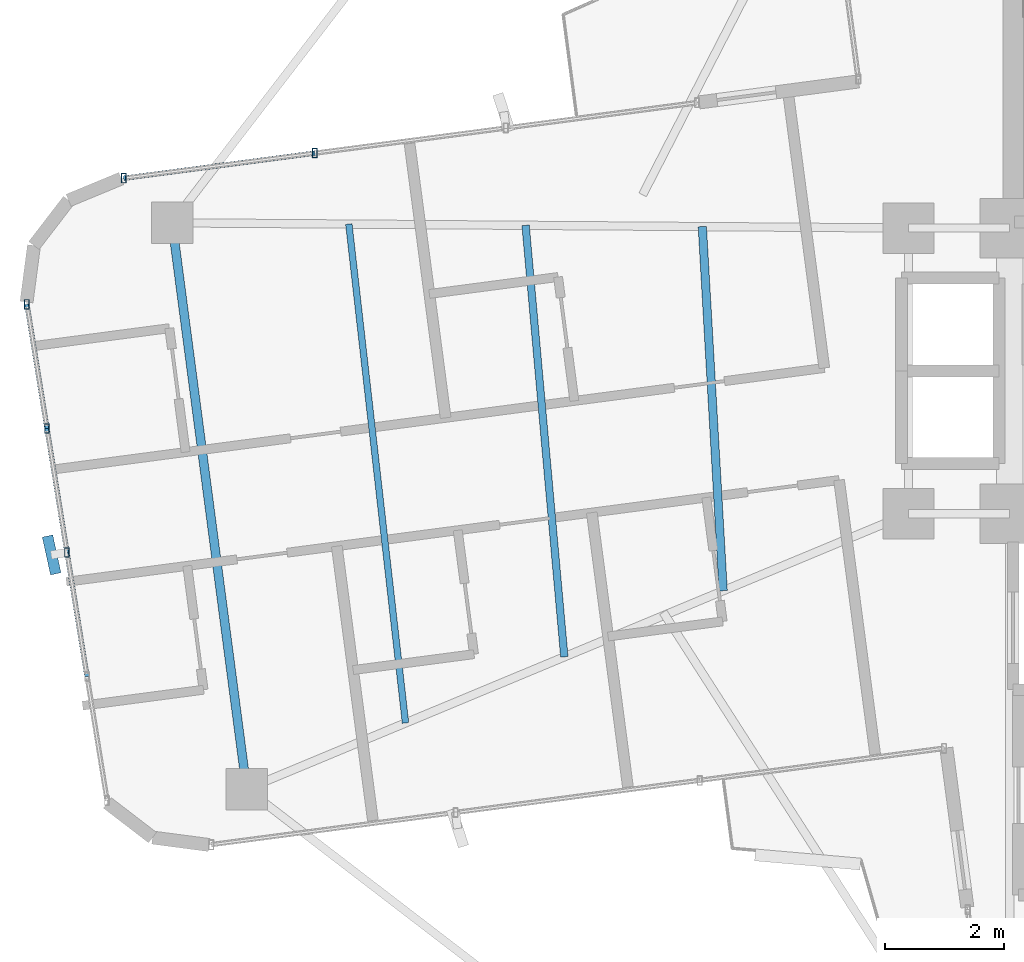
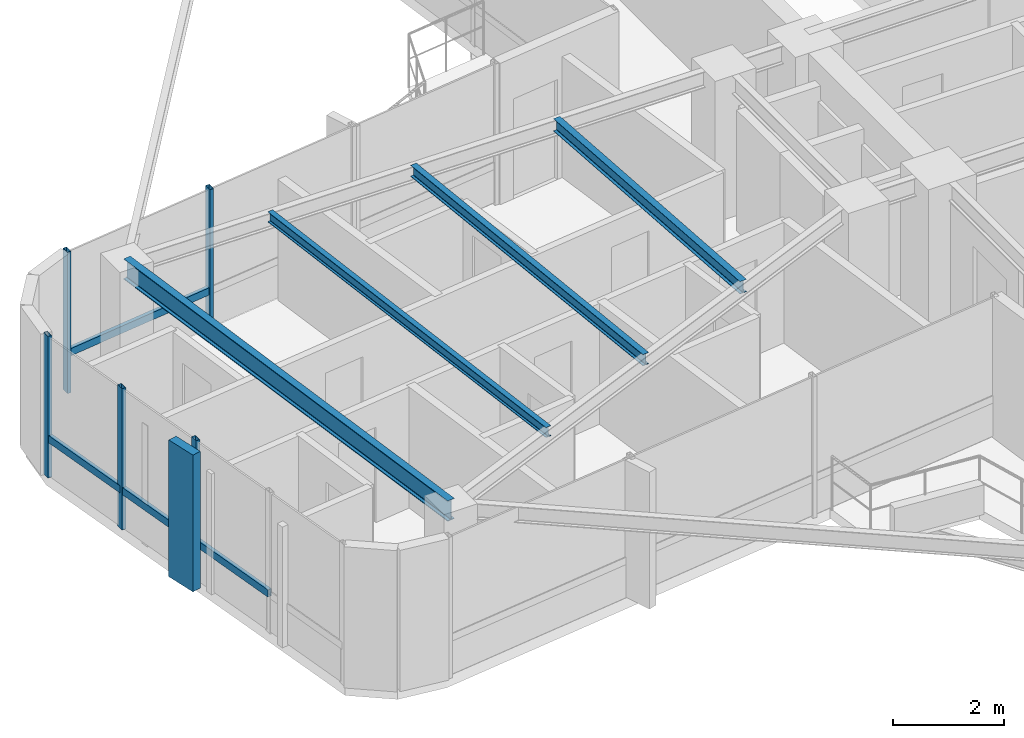
# One storey, part 6 of 22: 10 members, 4 beams, 2 elements without a shape of their own.
"""IFC4 building model written with IfcOpenShell, lengths in metres."""

from ifc_helpers import new_model, si_unit, direction, frame, origin, origin_2d, place, context, subcontext, project, spatial, rectangle, hollow_rectangle, i_section, extrude, source, transform, mapped, material, material_profile, profile_set, type_object, element, aggregate, save


model = new_model("IFC4")

# Units and contexts
model_context = context("Model", 3, precision=1e-05, world=origin(), true_north=direction((0.0, 1.0)))
body_context = subcontext(model_context, "Body", "Model", "MODEL_VIEW")
ifc_project = project(units=[si_unit("LENGTHUNIT", "METRE"), si_unit("AREAUNIT", "SQUARE_METRE"), si_unit("VOLUMEUNIT", "CUBIC_METRE"), si_unit("PLANEANGLEUNIT", "RADIAN"), si_unit("MASSUNIT", "GRAM", prefix="KILO")], contexts=[model_context])

# Site, building, storey
site_placement = place(None, origin())
site = spatial("IfcSite", under=ifc_project, at=site_placement, CompositionType="ELEMENT")
building_placement = place(site_placement, origin())
building = spatial("IfcBuilding", under=site, at=building_placement, Name="Sahyath Konkavel Grand Hotel", CompositionType="ELEMENT")
storey_placement = place(building_placement, frame((0.0, 0.0, 206.5)))
storey = spatial("IfcBuildingStorey", under=building, at=storey_placement, Name="L57", CompositionType="ELEMENT", Elevation=206.5)

# Beams
ifc_material_1 = material(Name="Steel E350", Category="steel")
ifc_material_profile_1 = material_profile(ifc_material_1, i_section(OverallWidth=0.14990234375, OverallDepth=0.449951171875, WebThickness=0.009521484375, FlangeThickness=0.017333984375, FilletRadius=0.014892578125, at=origin_2d()), Name="ISMB 450")
ifc_profile_set_1 = profile_set([ifc_material_profile_1], Name="Steel E350")
beam_type_1 = type_object("IfcBeamType", Name="BM-ISMB450", PredefinedType="BEAM", material=ifc_profile_set_1)
shared_shape_1 = source(origin(), body_context, "Body", "SweptSolid", [
    extrude(i_section(OverallWidth=0.14990234375, OverallDepth=0.449951171875, WebThickness=0.009521484375, FlangeThickness=0.017333984375, FilletRadius=0.014892578125, at=origin_2d()), origin(), (0.0, 0.0, 1.0), 9.599853515625),
])
beam_1_placement = place(storey_placement, frame((-17.877685546875, 2.48779296875, 2.885009765625), z_axis=(0.130539375757, -0.991443125639, 0.0), x_axis=(0.991443125639, 0.130539375757, 0.0)))
element("IfcBeam", 1, at=beam_1_placement, inside=storey, type_object=beam_type_1, Name="L57 Wing Tip Edge Beam W", PredefinedType="BEAM", context=body_context, shape_type="MappedRepresentation", body=[
    mapped(shared_shape_1, transform((0.0, 0.0, 0.0), scale=1.0)),
])
ifc_material_profile_2 = material_profile(ifc_material_1, i_section(OverallWidth=0.139892578125, OverallDepth=0.27490234375, WebThickness=0.00634765625, FlangeThickness=0.0087890625, FilletRadius=0.012939453125, at=origin_2d()), Name="ISLB 275")
ifc_profile_set_2 = profile_set([ifc_material_profile_2], Name="Steel E350")
beam_type_2 = type_object("IfcBeamType", Name="BM-ISLB275", PredefinedType="BEAM", material=ifc_profile_set_2)
shared_shape_2 = source(origin(), body_context, "Body", "SweptSolid", [
    extrude(i_section(OverallWidth=0.139892578125, OverallDepth=0.27490234375, WebThickness=0.00634765625, FlangeThickness=0.0087890625, FilletRadius=0.012939453125, at=origin_2d()), origin(), (0.0, 0.0, 1.0), 6.130859375),
])
beam_2_placement = place(storey_placement, frame((-8.9658203125, 2.424560546875, 2.972412109375), z_axis=(0.057223299361, -0.998361404508, 0.0), x_axis=(0.998361404508, 0.057223299361, 0.0)))
element("IfcBeam", 2, at=beam_2_placement, inside=storey, type_object=beam_type_2, Name="L57 Secondary Floor Beam W-1", PredefinedType="BEAM", context=body_context, shape_type="MappedRepresentation", body=[
    mapped(shared_shape_2, transform((0.0, 0.0, 0.0), scale=1.0)),
])
ifc_material_profile_3 = material_profile(ifc_material_1, i_section(OverallWidth=0.125, OverallDepth=0.25, WebThickness=0.0068359375, FlangeThickness=0.012451171875, FilletRadius=0.012939453125, at=origin_2d()), Name="ISMB 250")
ifc_profile_set_3 = profile_set([ifc_material_profile_3], Name="Steel E350")
beam_type_3 = type_object("IfcBeamType", Name="BM-ISMB250", PredefinedType="BEAM", material=ifc_profile_set_3)
shared_shape_3 = source(origin(), body_context, "Body", "SweptSolid", [
    extrude(i_section(OverallWidth=0.125, OverallDepth=0.25, WebThickness=0.0068359375, FlangeThickness=0.012451171875, FilletRadius=0.012939453125, at=origin_2d()), origin(), (0.0, 0.0, 1.0), 7.28271484375),
])
beam_3_placement = place(storey_placement, frame((-11.936279296875, 2.44580078125, 2.985107421875), z_axis=(0.08944149657, -0.995992077625, 0.0), x_axis=(0.995992077625, 0.08944149657, 0.0)))
element("IfcBeam", 3, at=beam_3_placement, inside=storey, type_object=beam_type_3, Name="L57 Secondary Floor Beam W-2", PredefinedType="BEAM", context=body_context, shape_type="MappedRepresentation", body=[
    mapped(shared_shape_3, transform((0.0, 0.0, 0.0), scale=1.0)),
])
ifc_material_profile_4 = material_profile(ifc_material_1, i_section(OverallWidth=0.110107421875, OverallDepth=0.22509765625, WebThickness=0.006591796875, FlangeThickness=0.01171875, FilletRadius=0.011962890625, at=origin_2d()), Name="ISMB 225")
ifc_profile_set_4 = profile_set([ifc_material_profile_4], Name="Steel E350")
beam_type_4 = type_object("IfcBeamType", Name="BM-ISMB225", PredefinedType="BEAM", material=ifc_profile_set_4)
shared_shape_4 = source(origin(), body_context, "Body", "SweptSolid", [
    extrude(i_section(OverallWidth=0.110107421875, OverallDepth=0.22509765625, WebThickness=0.006591796875, FlangeThickness=0.01171875, FilletRadius=0.011962890625, at=origin_2d()), origin(), (0.0, 0.0, 1.0), 8.439697265625),
])
beam_4_placement = place(storey_placement, frame((-14.906982421875, 2.466796875, 2.99755859375), z_axis=(0.112847377236, -0.993612333584, 0.0), x_axis=(0.993612333584, 0.112847377236, 0.0)))
element("IfcBeam", 4, at=beam_4_placement, inside=storey, type_object=beam_type_4, Name="L57 Secondary Floor Beam W-3", PredefinedType="BEAM", context=body_context, shape_type="MappedRepresentation", body=[
    mapped(shared_shape_4, transform((0.0, 0.0, 0.0), scale=1.0)),
])

# Curtain wall, member
ifc_material_2 = material(Name="Anodised Bronze Aluminium & Low-E Glazing", Category="aluminium")
curtain_wall_type = type_object("IfcCurtainWallType", Name="CW-ZONE4", PredefinedType="NOTDEFINED", material=ifc_material_2)
curtain_wall_1_placement = place(storey_placement, origin())
curtain_wall_1 = element("IfcCurtainWall", 5, at=curtain_wall_1_placement, inside=storey, type_object=curtain_wall_type, Name="L57 Unitised Curtain Wall F20", PredefinedType="NOTDEFINED")
ifc_material_3 = material(Name="Warm Buff Sandstone Cladding on Concrete C50/60", Category="masonry")
ifc_material_profile_5 = material_profile(ifc_material_3, rectangle(XDim=0.179931640625, YDim=0.64990234375, at=origin_2d()), Name="FIN 180x650")
ifc_profile_set_5 = profile_set([ifc_material_profile_5], Name="Warm Buff Sandstone Cladding on Concrete C50/60")
member_type_1 = type_object("IfcMemberType", Name="FIN-SANDSTONE-650", PredefinedType="MULLION", material=ifc_profile_set_5)
shared_shape_5 = source(origin(), body_context, "Body", "SweptSolid", [
    extrude(rectangle(XDim=0.179931640625, YDim=0.64990234375, at=origin_2d()), origin(), (0.0, 0.0, 1.0), 3.010009765625),
])
member_1_placement = place(storey_placement, frame((-19.90234375, -3.09423828125, 0.050048828125), z_axis=(0.0, 0.0, 1.0), x_axis=(0.976971153279, 0.213371426534, 0.0)))
member_1 = element("IfcMember", 6, at=member_1_placement, type_object=member_type_1, Name="L57 Sandstone Vertical Solar Fin FIN F20-2", PredefinedType="MULLION", context=body_context, shape_type="MappedRepresentation", body=[
    mapped(shared_shape_5, transform((0.0, 0.0, 0.0), scale=1.0)),
])

# Curtain wall, members
curtain_wall_2_placement = place(storey_placement, origin())
curtain_wall_2 = element("IfcCurtainWall", 7, at=curtain_wall_2_placement, inside=storey, type_object=curtain_wall_type, Name="L57 Unitised Curtain Wall F16", PredefinedType="NOTDEFINED")
ifc_material_4 = material(Name="Anodised Bronze Aluminium", Category="aluminium")
ifc_material_profile_6 = material_profile(ifc_material_4, hollow_rectangle(XDim=0.080078125, YDim=0.159912109375, WallThickness=0.006103515625, at=origin_2d()), Name="RHS 160x80x6")
ifc_profile_set_6 = profile_set([ifc_material_profile_6], Name="Anodised Bronze Aluminium")
member_type_2 = type_object("IfcMemberType", Name="CW-MUL-160", PredefinedType="MULLION", material=ifc_profile_set_6)
shared_shape_6 = source(origin(), body_context, "Body", "SweptSolid", [
    extrude(hollow_rectangle(XDim=0.080078125, YDim=0.159912109375, WallThickness=0.006103515625, at=origin_2d()), origin(), (0.0, 0.0, 1.0), 3.110107421875),
])
member_2_placement = place(storey_placement, frame((-15.480224609375, 3.66064453125, 0.0), z_axis=(0.0, 0.0, 1.0), x_axis=(1.0, 0.0, 0.0)))
member_2 = element("IfcMember", 8, at=member_2_placement, type_object=member_type_2, Name="L57 Curtain Wall Mullion F16-2", PredefinedType="MULLION", context=body_context, shape_type="MappedRepresentation", body=[
    mapped(shared_shape_6, transform((0.0, 0.0, 0.0), scale=1.0)),
])
member_3_placement = place(storey_placement, frame((-18.6923828125, 3.23779296875, 0.0), z_axis=(0.0, 0.0, 1.0), x_axis=(1.0, 0.0, 0.0)))
member_3 = element("IfcMember", 9, at=member_3_placement, type_object=member_type_2, Name="L57 Curtain Wall Mullion F16-3", PredefinedType="MULLION", context=body_context, shape_type="MappedRepresentation", body=[
    mapped(shared_shape_6, transform((0.0, 0.0, 0.0), scale=1.0)),
])

# Member
member_4_placement = place(storey_placement, frame((-20.318603515625, 1.117431640625, 0.0), z_axis=(0.0, 0.0, 1.0), x_axis=(1.0, 0.0, 0.0)))
member_4 = element("IfcMember", 10, at=member_4_placement, type_object=member_type_2, Name="L57 Curtain Wall Mullion F20-0", PredefinedType="MULLION", context=body_context, shape_type="MappedRepresentation", body=[
    mapped(shared_shape_6, transform((0.0, 0.0, 0.0), scale=1.0)),
])

member_5_placement = place(storey_placement, frame((-19.982177734375, -0.9677734375, 0.0), z_axis=(0.0, 0.0, 1.0), x_axis=(1.0, 0.0, 0.0)))
member_5 = element("IfcMember", 11, at=member_5_placement, type_object=member_type_2, Name="L57 Curtain Wall Mullion F20-1", PredefinedType="MULLION", context=body_context, shape_type="MappedRepresentation", body=[
    mapped(shared_shape_6, transform((0.0, 0.0, 0.0), scale=1.0)),
])

member_6_placement = place(storey_placement, frame((-19.6455078125, -3.052734375, 0.0), z_axis=(0.0, 0.0, 1.0), x_axis=(1.0, 0.0, 0.0)))
member_6 = element("IfcMember", 12, at=member_6_placement, type_object=member_type_2, Name="L57 Curtain Wall Mullion F20-2", PredefinedType="MULLION", context=body_context, shape_type="MappedRepresentation", body=[
    mapped(shared_shape_6, transform((0.0, 0.0, 0.0), scale=1.0)),
])

ifc_material_profile_7 = material_profile(ifc_material_4, hollow_rectangle(XDim=0.080078125, YDim=0.159912109375, WallThickness=0.006103515625, at=origin_2d()), Name="RHS 160x80x6")
ifc_profile_set_7 = profile_set([ifc_material_profile_7], Name="Anodised Bronze Aluminium")
member_type_3 = type_object("IfcMemberType", Name="CW-TRN-160", PredefinedType="USERDEFINED", material=ifc_profile_set_7)
shared_shape_7 = source(origin(), body_context, "Body", "SweptSolid", [
    extrude(hollow_rectangle(XDim=0.080078125, YDim=0.159912109375, WallThickness=0.006103515625, at=origin_2d()), origin(), (0.0, 0.0, 1.0), 3.239990234375),
])
member_7_placement = place(storey_placement, frame((-15.480224609375, 3.66064453125, 0.85009765625), z_axis=(-0.991446342692, -0.130514939997, 0.0), x_axis=(0.130514939997, -0.991446342692, 0.0)))
member_7 = element("IfcMember", 13, at=member_7_placement, type_object=member_type_3, Name="L57 Curtain Wall Transom F16-2-spandrel", ObjectType="TRANSOM", PredefinedType="USERDEFINED", context=body_context, shape_type="MappedRepresentation", body=[
    mapped(shared_shape_7, transform((0.0, 0.0, 0.0), scale=1.0)),
])

aggregate(curtain_wall_2, [member_2, member_3, member_7])

shared_shape_8 = source(origin(), body_context, "Body", "SweptSolid", [
    extrude(hollow_rectangle(XDim=0.080078125, YDim=0.159912109375, WallThickness=0.006103515625, at=origin_2d()), origin(), (0.0, 0.0, 1.0), 2.112060546875),
])
member_8_placement = place(storey_placement, frame((-20.318603515625, 1.117431640625, 0.85009765625), z_axis=(0.159279681841, -0.987233499712, 0.0), x_axis=(0.987233499712, 0.159279681841, 0.0)))
member_8 = element("IfcMember", 14, at=member_8_placement, type_object=member_type_3, Name="L57 Curtain Wall Transom F20-0-spandrel", ObjectType="TRANSOM", PredefinedType="USERDEFINED", context=body_context, shape_type="MappedRepresentation", body=[
    mapped(shared_shape_8, transform((0.0, 0.0, 0.0), scale=1.0)),
])

member_9_placement = place(storey_placement, frame((-19.982177734375, -0.9677734375, 0.85009765625), z_axis=(0.159410523793, -0.98721238085, 0.0), x_axis=(0.98721238085, 0.159410523793, 0.0)))
member_9 = element("IfcMember", 15, at=member_9_placement, type_object=member_type_3, Name="L57 Curtain Wall Transom F20-1-spandrel", ObjectType="TRANSOM", PredefinedType="USERDEFINED", context=body_context, shape_type="MappedRepresentation", body=[
    mapped(shared_shape_8, transform((0.0, 0.0, 0.0), scale=1.0)),
])

member_10_placement = place(storey_placement, frame((-19.6455078125, -3.052734375, 0.85009765625), z_axis=(0.159279681841, -0.987233499712, 0.0), x_axis=(0.987233499712, 0.159279681841, 0.0)))
member_10 = element("IfcMember", 16, at=member_10_placement, type_object=member_type_3, Name="L57 Curtain Wall Transom F20-2-spandrel", ObjectType="TRANSOM", PredefinedType="USERDEFINED", context=body_context, shape_type="MappedRepresentation", body=[
    mapped(shared_shape_8, transform((0.0, 0.0, 0.0), scale=1.0)),
])

aggregate(curtain_wall_1, [member_4, member_5, member_6, member_1, member_8, member_9, member_10])

save(model, "model.ifc")
